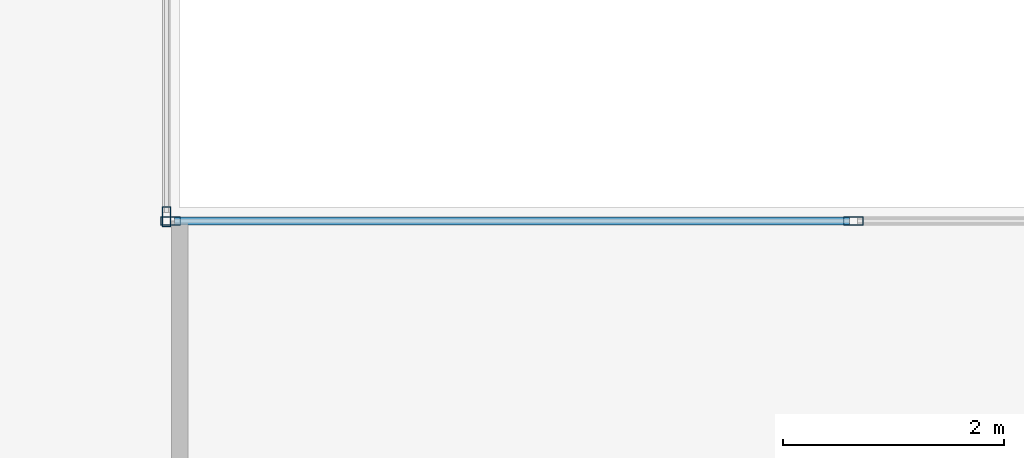
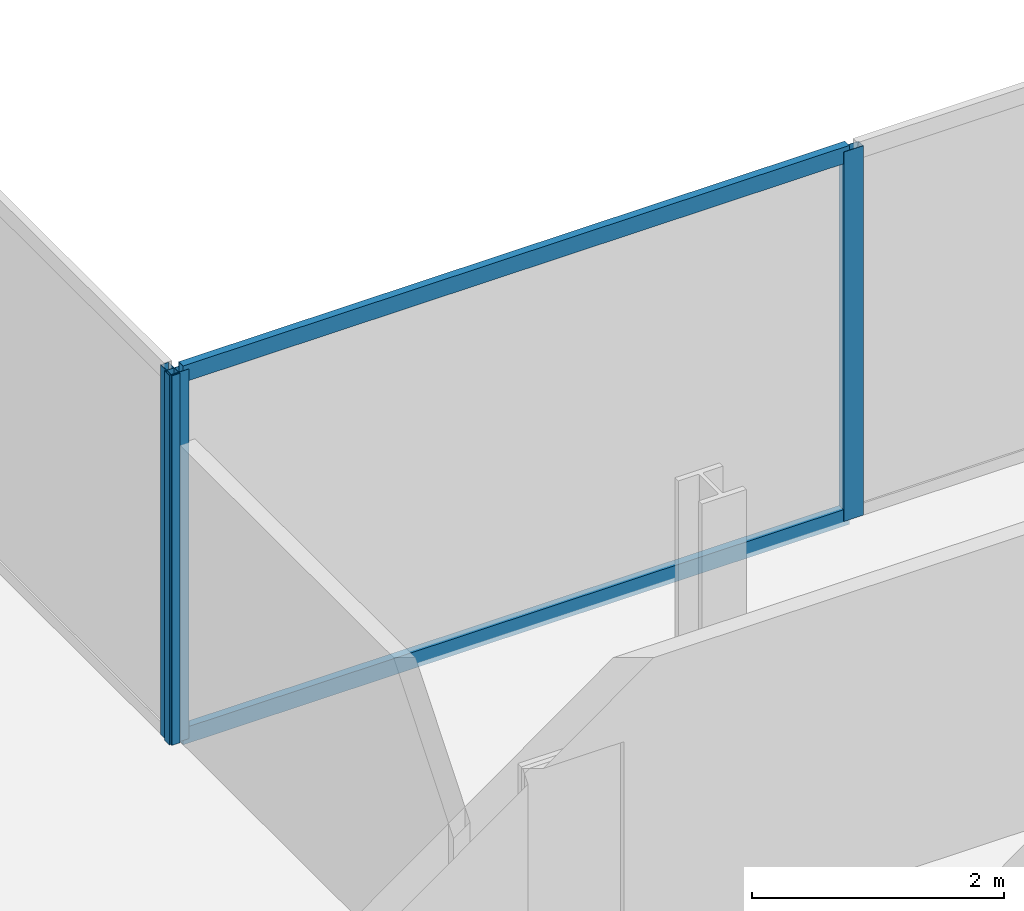
# One storey, part 7 of 24: 5 members, 2 elements without a shape of their own.
"""IFC4 building model written with IfcOpenShell, lengths in metres."""

from ifc_helpers import new_model, si_unit, direction, frame, origin, origin_2d, place, context, subcontext, project, spatial, hollow_rectangle, extrude, material, material_profile, profile_set, type_object, element, aggregate, save


model = new_model("IFC4")

# Units and contexts
model_context = context("Model", 3, precision=1e-05, world=origin(), true_north=direction((0.0, 1.0)))
body_context = subcontext(model_context, "Body", "Model", "MODEL_VIEW")
ifc_project = project(units=[si_unit("LENGTHUNIT", "METRE"), si_unit("AREAUNIT", "SQUARE_METRE"), si_unit("VOLUMEUNIT", "CUBIC_METRE"), si_unit("PLANEANGLEUNIT", "RADIAN"), si_unit("MASSUNIT", "GRAM", prefix="KILO")], contexts=[model_context])

# Site, building, storey
site_placement = place(None, origin())
site = spatial("IfcSite", under=ifc_project, at=site_placement, CompositionType="ELEMENT")
building_placement = place(site_placement, origin())
building = spatial("IfcBuilding", under=site, at=building_placement, Name="Cobrela Telecom Tower", CompositionType="ELEMENT")
storey_placement = place(building_placement, frame((0.0, 0.0, 136.85009765625)))
storey = spatial("IfcBuildingStorey", under=building, at=storey_placement, Name="L34", CompositionType="ELEMENT", Elevation=136.85009765625)

# Curtain wall, member
ifc_material = material(Name="Anodized Bronze Aluminium 6063-T6", Category="aluminium")
curtain_wall_type = type_object("IfcCurtainWallType", Name="CW-SYS-TEL", PredefinedType="USERDEFINED", material=ifc_material)
curtain_wall_1_placement = place(storey_placement, origin())
curtain_wall_1 = element("IfcCurtainWall", 1, at=curtain_wall_1_placement, inside=storey, type_object=curtain_wall_type, Name="L34 Unitised Bronze Curtain Wall 10", ObjectType="UNITISED CURTAIN WALL", PredefinedType="USERDEFINED")
ifc_material_profile_1 = material_profile(ifc_material, hollow_rectangle(XDim=0.074951171875, YDim=0.179931640625, WallThickness=0.00390625, at=origin_2d()), Name="ALU 75x180x4")
ifc_profile_set_1 = profile_set([ifc_material_profile_1], Name="Anodized Bronze Aluminium 6063-T6")
member_type_1 = type_object("IfcMemberType", Name="CW-SYS-TEL-MUL", PredefinedType="MULLION", material=ifc_profile_set_1)
member_1_placement = place(storey_placement, frame((25.8798828125, 25.117431640625, 0.0), z_axis=(0.0, 0.0, 1.0), x_axis=(1.0, 0.0, 0.0)))
member_1 = element("IfcMember", 2, at=member_1_placement, type_object=member_type_1, Name="CW-TEL mullion 3", PredefinedType="MULLION", context=body_context, shape_type="SweptSolid", body=[
    extrude(hollow_rectangle(XDim=0.074951171875, YDim=0.179931640625, WallThickness=0.00390625, at=origin_2d()), origin(), (0.0, 0.0, 1.0), 3.579833984375),
])
aggregate(curtain_wall_1, [member_1])

# Curtain wall, members
curtain_wall_2_placement = place(storey_placement, origin())
curtain_wall_2 = element("IfcCurtainWall", 3, at=curtain_wall_2_placement, inside=storey, type_object=curtain_wall_type, Name="L34 Unitised Bronze Curtain Wall 11", ObjectType="UNITISED CURTAIN WALL", PredefinedType="USERDEFINED")
member_2_placement = place(storey_placement, frame((25.91748046875, 25.080078125, 0.0), z_axis=(0.0, 0.0, 1.0), x_axis=(0.0, 1.0, 0.0)))
member_2 = element("IfcMember", 4, at=member_2_placement, type_object=member_type_1, Name="CW-TEL mullion 1", PredefinedType="MULLION", context=body_context, shape_type="SweptSolid", body=[
    extrude(hollow_rectangle(XDim=0.074951171875, YDim=0.179931640625, WallThickness=0.00390625, at=origin_2d()), origin(), (0.0, 0.0, 1.0), 3.579833984375),
])
member_3_placement = place(storey_placement, frame((32.0966796875, 25.080078125, 0.0), z_axis=(0.0, 0.0, 1.0), x_axis=(0.0, 1.0, 0.0)))
member_3 = element("IfcMember", 5, at=member_3_placement, type_object=member_type_1, Name="CW-TEL mullion 2", PredefinedType="MULLION", context=body_context, shape_type="SweptSolid", body=[
    extrude(hollow_rectangle(XDim=0.074951171875, YDim=0.179931640625, WallThickness=0.00390625, at=origin_2d()), origin(), (0.0, 0.0, 1.0), 3.579833984375),
])
ifc_material_profile_2 = material_profile(ifc_material, hollow_rectangle(XDim=0.070068359375, YDim=0.159912109375, WallThickness=0.00390625, at=origin_2d()), Name="ALU 70x160x4")
ifc_profile_set_2 = profile_set([ifc_material_profile_2], Name="Anodized Bronze Aluminium 6063-T6")
member_type_2 = type_object("IfcMemberType", Name="CW-SYS-TEL-TRN", PredefinedType="USERDEFINED", material=ifc_profile_set_2)
member_4_placement = place(storey_placement, frame((25.955078125, 25.080078125, 0.034912109375), z_axis=(1.0, 0.0, 0.0), x_axis=(0.0, 1.0, 0.0)))
member_4 = element("IfcMember", 6, at=member_4_placement, type_object=member_type_2, Name="CW-TEL transom 1.1", ObjectType="TRANSOM", PredefinedType="USERDEFINED", context=body_context, shape_type="SweptSolid", body=[
    extrude(hollow_rectangle(XDim=0.070068359375, YDim=0.159912109375, WallThickness=0.00390625, at=origin_2d()), origin(), (0.0, 0.0, 1.0), 6.10400390625),
])
member_5_placement = place(storey_placement, frame((25.955078125, 25.080078125, 3.544921875), z_axis=(1.0, 0.0, 0.0), x_axis=(0.0, 1.0, 0.0)))
member_5 = element("IfcMember", 7, at=member_5_placement, type_object=member_type_2, Name="CW-TEL transom 1.2", ObjectType="TRANSOM", PredefinedType="USERDEFINED", context=body_context, shape_type="SweptSolid", body=[
    extrude(hollow_rectangle(XDim=0.070068359375, YDim=0.159912109375, WallThickness=0.00390625, at=origin_2d()), origin(), (0.0, 0.0, 1.0), 6.10400390625),
])
aggregate(curtain_wall_2, [member_2, member_3, member_4, member_5])

save(model, "model.ifc")
